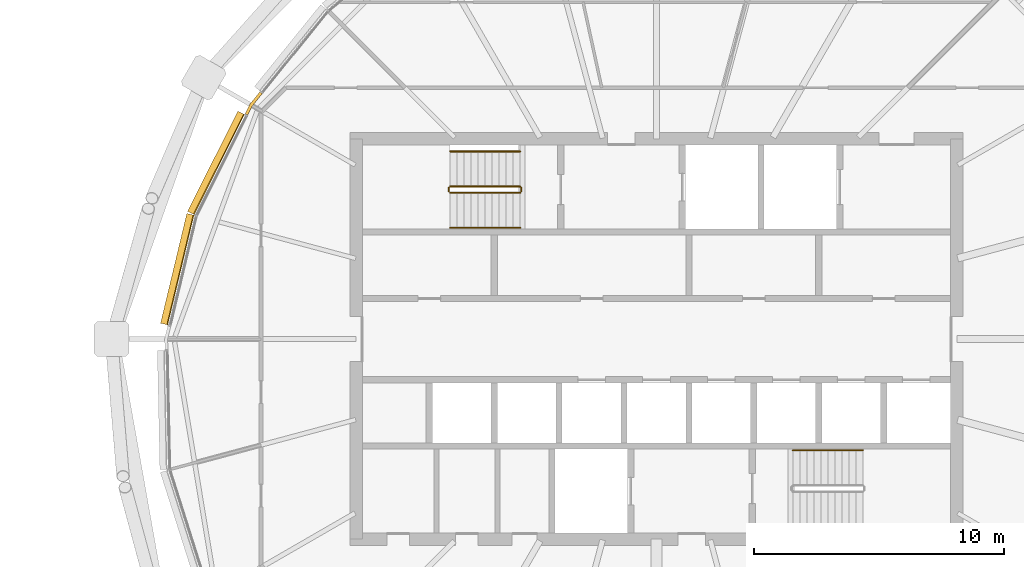
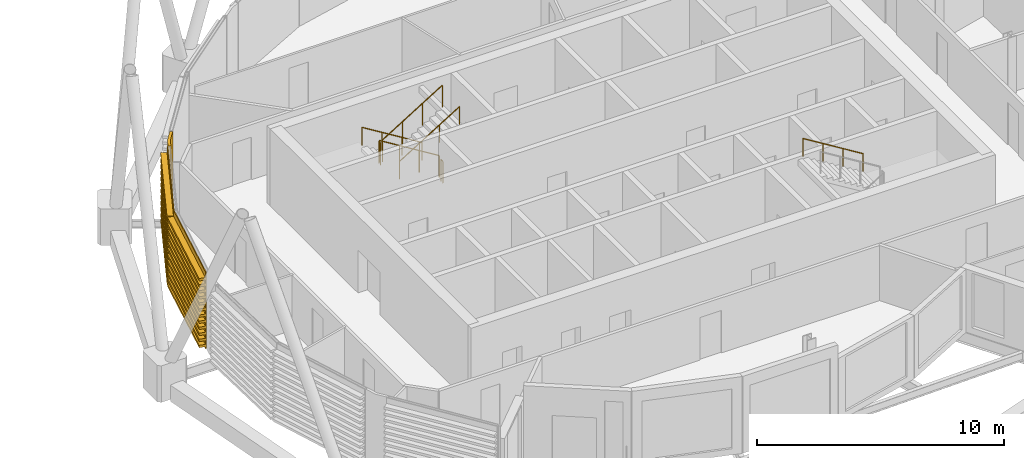
# One storey, part 32 of 34: 7 railings, 3 coverings.
"""IFC4 building model written with IfcOpenShell, lengths in metres."""

from ifc_helpers import new_model, si_unit, direction, frame, origin, origin_2d, place, context, subcontext, project, spatial, polyline, circle, outline, extrude, material, layer, layer_set, material_profile, profile_set, type_object, element, save


model = new_model("IFC4")

# Units and contexts
model_context = context("Model", 3, precision=1e-05, world=origin(), true_north=direction((0.0, 1.0)))
body_context = subcontext(model_context, "Body", "Model", "MODEL_VIEW")
ifc_project = project(units=[si_unit("LENGTHUNIT", "METRE"), si_unit("AREAUNIT", "SQUARE_METRE"), si_unit("VOLUMEUNIT", "CUBIC_METRE"), si_unit("PLANEANGLEUNIT", "RADIAN"), si_unit("MASSUNIT", "GRAM", prefix="KILO")], contexts=[model_context])

# Site, building, storey
site_placement = place(None, origin())
site = spatial("IfcSite", under=ifc_project, at=site_placement, CompositionType="ELEMENT")
building_placement = place(site_placement, origin())
building = spatial("IfcBuilding", under=site, at=building_placement, Name="Rimbun Link Towers", CompositionType="ELEMENT")
storey_placement = place(building_placement, frame((0.0, 0.0, 221.89990234375)))
storey = spatial("IfcBuildingStorey", under=building, at=storey_placement, Name="L54", CompositionType="ELEMENT", Elevation=221.89990234375)

# Covering
ifc_material_1 = material(Name="Terracotta", Category="masonry")
ifc_layer = layer(ifc_material_1, 0.1201171875)
ifc_layer_set = layer_set([ifc_layer], Name="LINK PIER terracotta cladding 120")
covering_type_1 = type_object("IfcCoveringType", Name="LINK PIER terracotta cladding 120", PredefinedType="CLADDING", material=ifc_layer_set)
covering_1_placement = place(storey_placement, origin())
element("IfcCovering", 1, at=covering_1_placement, inside=storey, type_object=covering_type_1, Name="LINK PIER cladding", PredefinedType="CLADDING", context=body_context, shape_type="SweptSolid", body=[
    extrude(outline(polyline([(15.412353515625, 8.948486328125), (15.600830078125, 9.32373046875), (15.990966796875, 9.8056640625), (15.897705078125, 9.881103515625), (15.49951171875, 9.38916015625), (15.30517578125, 9.002197265625), (15.412353515625, 8.948486328125)])), origin(), (0.0, 0.0, 1.0), 3.800048828125),
])

# Railings
ifc_material_2 = material(Name="Stainless steel grade 316", Category="steel")
railing_type_1 = type_object("IfcRailingType", Name="Stair guard", PredefinedType="GUARDRAIL", material=ifc_material_2)
railing_1_placement = place(storey_placement, frame((26.300048828125, 6.10009765625, 0.1728515625)))
element("IfcRailing", 2, at=railing_1_placement, inside=storey, type_object=railing_type_1, Name="L54 ST3 stair guard 1", PredefinedType="GUARDRAIL", context=body_context, shape_type="SweptSolid", body=[
    extrude(circle(Radius=0.02392578125, at=origin_2d()), frame((0.0, 0.0, 1.076171875), z_axis=(-0.851089632645, 0.0, 0.525020415988), x_axis=(0.0, -1.0, 0.0)), (0.0, 0.0, 1.0), 3.2900390625),
    extrude(circle(Radius=0.02099609375, at=origin_2d()), origin(), (0.0, 0.0, 1.0), 1.052001953125),
    extrude(circle(Radius=0.02099609375, at=origin_2d()), frame((-0.933349609375, 0.0, 0.57568359375)), (0.0, 0.0, 1.0), 1.052001953125),
    extrude(circle(Radius=0.02099609375, at=origin_2d()), frame((-1.86669921875, 0.0, 1.151611328125)), (0.0, 0.0, 1.0), 1.052001953125),
    extrude(circle(Radius=0.02099609375, at=origin_2d()), frame((-2.800048828125, 0.0, 1.727294921875)), (0.0, 0.0, 1.0), 1.052001953125),
])
railing_2_placement = place(storey_placement, frame((23.449951171875, 6.050048828125, 1.900146484375)))
element("IfcRailing", 3, at=railing_2_placement, inside=storey, type_object=railing_type_1, Name="L54 ST3 stair guard 2", PredefinedType="GUARDRAIL", context=body_context, shape_type="SweptSolid", body=[
    extrude(circle(Radius=0.02392578125, at=origin_2d()), frame((0.0, 0.0, 1.076171875), z_axis=(0.0, -1.0, 0.0), x_axis=(1.0, 0.0, 0.0)), (0.0, 0.0, 1.0), 0.150146484375),
    extrude(circle(Radius=0.02099609375, at=origin_2d()), origin(), (0.0, 0.0, 1.0), 1.052001953125),
    extrude(circle(Radius=0.02099609375, at=origin_2d()), frame((0.0, -0.150146484375, 0.0)), (0.0, 0.0, 1.0), 1.052001953125),
])
railing_3_placement = place(storey_placement, frame((23.5, 5.85009765625, 2.07275390625)))
element("IfcRailing", 4, at=railing_3_placement, inside=storey, type_object=railing_type_1, Name="L54 ST3 stair guard 3", PredefinedType="GUARDRAIL", context=body_context, shape_type="SweptSolid", body=[
    extrude(circle(Radius=0.02392578125, at=origin_2d()), frame((0.0, 0.0, 1.076171875), z_axis=(0.851089632645, 0.0, 0.525020415988), x_axis=(0.0, 1.0, 0.0)), (0.0, 0.0, 1.0), 3.2900390625),
    extrude(circle(Radius=0.02099609375, at=origin_2d()), origin(), (0.0, 0.0, 1.0), 1.052001953125),
    extrude(circle(Radius=0.02099609375, at=origin_2d()), frame((0.933349609375, 0.0, 0.57568359375)), (0.0, 0.0, 1.0), 1.052001953125),
    extrude(circle(Radius=0.02099609375, at=origin_2d()), frame((1.86669921875, 0.0, 1.151611328125)), (0.0, 0.0, 1.0), 1.052001953125),
    extrude(circle(Radius=0.02099609375, at=origin_2d()), frame((2.800048828125, 0.0, 1.727294921875)), (0.0, 0.0, 1.0), 1.052001953125),
])
railing_4_placement = place(storey_placement, frame((26.35009765625, 6.050048828125, 0.0)))
element("IfcRailing", 5, at=railing_4_placement, inside=storey, type_object=railing_type_1, Name="L54 ST3 stair guard 4", PredefinedType="GUARDRAIL", context=body_context, shape_type="SweptSolid", body=[
    extrude(circle(Radius=0.02392578125, at=origin_2d()), frame((0.0, 0.0, 1.076171875), z_axis=(0.0, -1.0, 0.0), x_axis=(1.0, 0.0, 0.0)), (0.0, 0.0, 1.0), 0.150146484375),
    extrude(circle(Radius=0.02099609375, at=origin_2d()), origin(), (0.0, 0.0, 1.0), 1.052001953125),
    extrude(circle(Radius=0.02099609375, at=origin_2d()), frame((0.0, -0.150146484375, 0.0)), (0.0, 0.0, 1.0), 1.052001953125),
])
ifc_material_3 = material(Name="Stainless steel grade 316", Category="steel")
railing_type_2 = type_object("IfcRailingType", Name="Stair handrail", PredefinedType="HANDRAIL", material=ifc_material_3)
railing_5_placement = place(storey_placement, frame((26.300048828125, 7.5, 0.1728515625)))
element("IfcRailing", 6, at=railing_5_placement, inside=storey, type_object=railing_type_2, Name="L54 ST3 stair handrail 1", PredefinedType="HANDRAIL", context=body_context, shape_type="SweptSolid", body=[
    extrude(circle(Radius=0.02392578125, at=origin_2d()), frame((0.0, 0.0, 0.8759765625), z_axis=(-0.851089632645, 0.0, 0.525020415988), x_axis=(0.0, -1.0, 0.0)), (0.0, 0.0, 1.0), 3.2900390625),
    extrude(circle(Radius=0.02099609375, at=origin_2d()), origin(), (0.0, 0.0, 1.0), 0.851806640625),
    extrude(circle(Radius=0.02099609375, at=origin_2d()), frame((-0.933349609375, 0.0, 0.57568359375)), (0.0, 0.0, 1.0), 0.851806640625),
    extrude(circle(Radius=0.02099609375, at=origin_2d()), frame((-1.86669921875, 0.0, 1.151611328125)), (0.0, 0.0, 1.0), 0.851806640625),
    extrude(circle(Radius=0.02099609375, at=origin_2d()), frame((-2.800048828125, 0.0, 1.727294921875)), (0.0, 0.0, 1.0), 0.851806640625),
])
railing_6_placement = place(storey_placement, frame((23.5, 4.449951171875, 2.07275390625)))
element("IfcRailing", 7, at=railing_6_placement, inside=storey, type_object=railing_type_2, Name="L54 ST3 stair handrail 2", PredefinedType="HANDRAIL", context=body_context, shape_type="SweptSolid", body=[
    extrude(circle(Radius=0.02392578125, at=origin_2d()), frame((0.0, 0.0, 0.8759765625), z_axis=(0.851089632645, 0.0, 0.525020415988), x_axis=(0.0, 1.0, 0.0)), (0.0, 0.0, 1.0), 3.2900390625),
    extrude(circle(Radius=0.02099609375, at=origin_2d()), origin(), (0.0, 0.0, 1.0), 0.851806640625),
    extrude(circle(Radius=0.02099609375, at=origin_2d()), frame((0.933349609375, 0.0, 0.57568359375)), (0.0, 0.0, 1.0), 0.851806640625),
    extrude(circle(Radius=0.02099609375, at=origin_2d()), frame((1.86669921875, 0.0, 1.151611328125)), (0.0, 0.0, 1.0), 0.851806640625),
    extrude(circle(Radius=0.02099609375, at=origin_2d()), frame((2.800048828125, 0.0, 1.727294921875)), (0.0, 0.0, 1.0), 0.851806640625),
])
railing_7_placement = place(storey_placement, frame((40.0, -4.449951171875, 2.07275390625)))
element("IfcRailing", 8, at=railing_7_placement, inside=storey, type_object=railing_type_2, Name="L54 ST4 stair handrail 2", PredefinedType="HANDRAIL", context=body_context, shape_type="SweptSolid", body=[
    extrude(circle(Radius=0.02392578125, at=origin_2d()), frame((0.0, 0.0, 0.8759765625), z_axis=(-0.851089632645, 0.0, 0.525020415988), x_axis=(0.0, -1.0, 0.0)), (0.0, 0.0, 1.0), 3.2900390625),
    extrude(circle(Radius=0.02099609375, at=origin_2d()), origin(), (0.0, 0.0, 1.0), 0.851806640625),
    extrude(circle(Radius=0.02099609375, at=origin_2d()), frame((-0.933349609375, 0.0, 0.57568359375)), (0.0, 0.0, 1.0), 0.851806640625),
    extrude(circle(Radius=0.02099609375, at=origin_2d()), frame((-1.86669921875, 0.0, 1.151611328125)), (0.0, 0.0, 1.0), 0.851806640625),
    extrude(circle(Radius=0.02099609375, at=origin_2d()), frame((-2.800048828125, 0.0, 1.727294921875)), (0.0, 0.0, 1.0), 0.851806640625),
])

# Coverings
ifc_material_4 = material(Name="Terracotta", Category="masonry")
ifc_material_profile = material_profile(ifc_material_4, outline(polyline([(0.123046875, 0.0), (0.1630859375, 0.0), (0.1630859375, 0.10009765625), (0.423095703125, 0.10009765625), (0.423095703125, 0.219970703125), (0.1630859375, 0.219970703125), (0.1630859375, 0.39990234375), (0.423095703125, 0.39990234375), (0.423095703125, 0.52001953125), (0.1630859375, 0.52001953125), (0.1630859375, 0.699951171875), (0.423095703125, 0.699951171875), (0.423095703125, 0.820068359375), (0.1630859375, 0.820068359375), (0.1630859375, 1.0), (0.423095703125, 1.0), (0.423095703125, 1.1201171875), (0.1630859375, 1.1201171875), (0.1630859375, 1.300048828125), (0.423095703125, 1.300048828125), (0.423095703125, 1.419921875), (0.1630859375, 1.419921875), (0.1630859375, 1.60009765625), (0.423095703125, 1.60009765625), (0.423095703125, 1.719970703125), (0.1630859375, 1.719970703125), (0.1630859375, 1.89990234375), (0.423095703125, 1.89990234375), (0.423095703125, 2.02001953125), (0.1630859375, 2.02001953125), (0.1630859375, 2.199951171875), (0.423095703125, 2.199951171875), (0.423095703125, 2.320068359375), (0.1630859375, 2.320068359375), (0.1630859375, 2.5), (0.423095703125, 2.5), (0.423095703125, 2.6201171875), (0.1630859375, 2.6201171875), (0.1630859375, 2.800048828125), (0.423095703125, 2.800048828125), (0.423095703125, 2.919921875), (0.1630859375, 2.919921875), (0.1630859375, 3.10009765625), (0.423095703125, 3.10009765625), (0.423095703125, 3.219970703125), (0.1630859375, 3.219970703125), (0.1630859375, 3.39990234375), (0.423095703125, 3.39990234375), (0.423095703125, 3.52001953125), (0.1630859375, 3.52001953125), (0.1630859375, 3.800048828125), (0.123046875, 3.800048828125), (0.123046875, 0.0)])), Name="BAGUETTE 120X300")
ifc_profile_set = profile_set([ifc_material_profile], Name="Terracotta")
covering_type_2 = type_object("IfcCoveringType", Name="TERRACOTTA BAGUETTE 120X300 H3800", PredefinedType="CLADDING", material=ifc_profile_set)
covering_2_placement = place(storey_placement, frame((13.389404296875, 4.919677734375, 0.0), z_axis=(0.44873945429, 0.893662633304, 0.0), x_axis=(-0.893662633304, 0.44873945429, 0.0)))
element("IfcCovering", 9, at=covering_2_placement, inside=storey, type_object=covering_type_2, Name="TERRACOTTA BAGUETTE", PredefinedType="CLADDING", context=body_context, shape_type="SweptSolid", body=[
    extrude(outline(polyline([(0.123046875, 0.0), (0.1630859375, 0.0), (0.1630859375, 0.10009765625), (0.423095703125, 0.10009765625), (0.423095703125, 0.219970703125), (0.1630859375, 0.219970703125), (0.1630859375, 0.39990234375), (0.423095703125, 0.39990234375), (0.423095703125, 0.52001953125), (0.1630859375, 0.52001953125), (0.1630859375, 0.699951171875), (0.423095703125, 0.699951171875), (0.423095703125, 0.820068359375), (0.1630859375, 0.820068359375), (0.1630859375, 1.0), (0.423095703125, 1.0), (0.423095703125, 1.1201171875), (0.1630859375, 1.1201171875), (0.1630859375, 1.300048828125), (0.423095703125, 1.300048828125), (0.423095703125, 1.419921875), (0.1630859375, 1.419921875), (0.1630859375, 1.60009765625), (0.423095703125, 1.60009765625), (0.423095703125, 1.719970703125), (0.1630859375, 1.719970703125), (0.1630859375, 1.89990234375), (0.423095703125, 1.89990234375), (0.423095703125, 2.02001953125), (0.1630859375, 2.02001953125), (0.1630859375, 2.199951171875), (0.423095703125, 2.199951171875), (0.423095703125, 2.320068359375), (0.1630859375, 2.320068359375), (0.1630859375, 2.5), (0.423095703125, 2.5), (0.423095703125, 2.6201171875), (0.1630859375, 2.6201171875), (0.1630859375, 2.800048828125), (0.423095703125, 2.800048828125), (0.423095703125, 2.919921875), (0.1630859375, 2.919921875), (0.1630859375, 3.10009765625), (0.423095703125, 3.10009765625), (0.423095703125, 3.219970703125), (0.1630859375, 3.219970703125), (0.1630859375, 3.39990234375), (0.423095703125, 3.39990234375), (0.423095703125, 3.52001953125), (0.1630859375, 3.52001953125), (0.1630859375, 3.800048828125), (0.123046875, 3.800048828125), (0.123046875, 0.0)])), origin(), (0.0, 0.0, 1.0), 4.47802734375),
])
covering_3_placement = place(storey_placement, frame((12.340576171875, 0.534912109375, 0.0), z_axis=(0.232635570678, 0.972563977975, 0.0), x_axis=(-0.972563977975, 0.232635570678, 0.0)))
element("IfcCovering", 10, at=covering_3_placement, inside=storey, type_object=covering_type_2, Name="TERRACOTTA BAGUETTE", PredefinedType="CLADDING", context=body_context, shape_type="SweptSolid", body=[
    extrude(outline(polyline([(0.123046875, 0.0), (0.1630859375, 0.0), (0.1630859375, 0.10009765625), (0.423095703125, 0.10009765625), (0.423095703125, 0.219970703125), (0.1630859375, 0.219970703125), (0.1630859375, 0.39990234375), (0.423095703125, 0.39990234375), (0.423095703125, 0.52001953125), (0.1630859375, 0.52001953125), (0.1630859375, 0.699951171875), (0.423095703125, 0.699951171875), (0.423095703125, 0.820068359375), (0.1630859375, 0.820068359375), (0.1630859375, 1.0), (0.423095703125, 1.0), (0.423095703125, 1.1201171875), (0.1630859375, 1.1201171875), (0.1630859375, 1.300048828125), (0.423095703125, 1.300048828125), (0.423095703125, 1.419921875), (0.1630859375, 1.419921875), (0.1630859375, 1.60009765625), (0.423095703125, 1.60009765625), (0.423095703125, 1.719970703125), (0.1630859375, 1.719970703125), (0.1630859375, 1.89990234375), (0.423095703125, 1.89990234375), (0.423095703125, 2.02001953125), (0.1630859375, 2.02001953125), (0.1630859375, 2.199951171875), (0.423095703125, 2.199951171875), (0.423095703125, 2.320068359375), (0.1630859375, 2.320068359375), (0.1630859375, 2.5), (0.423095703125, 2.5), (0.423095703125, 2.6201171875), (0.1630859375, 2.6201171875), (0.1630859375, 2.800048828125), (0.423095703125, 2.800048828125), (0.423095703125, 2.919921875), (0.1630859375, 2.919921875), (0.1630859375, 3.10009765625), (0.423095703125, 3.10009765625), (0.423095703125, 3.219970703125), (0.1630859375, 3.219970703125), (0.1630859375, 3.39990234375), (0.423095703125, 3.39990234375), (0.423095703125, 3.52001953125), (0.1630859375, 3.52001953125), (0.1630859375, 3.800048828125), (0.123046875, 3.800048828125), (0.123046875, 0.0)])), origin(), (0.0, 0.0, 1.0), 4.508544921875),
])

save(model, "model.ifc")
